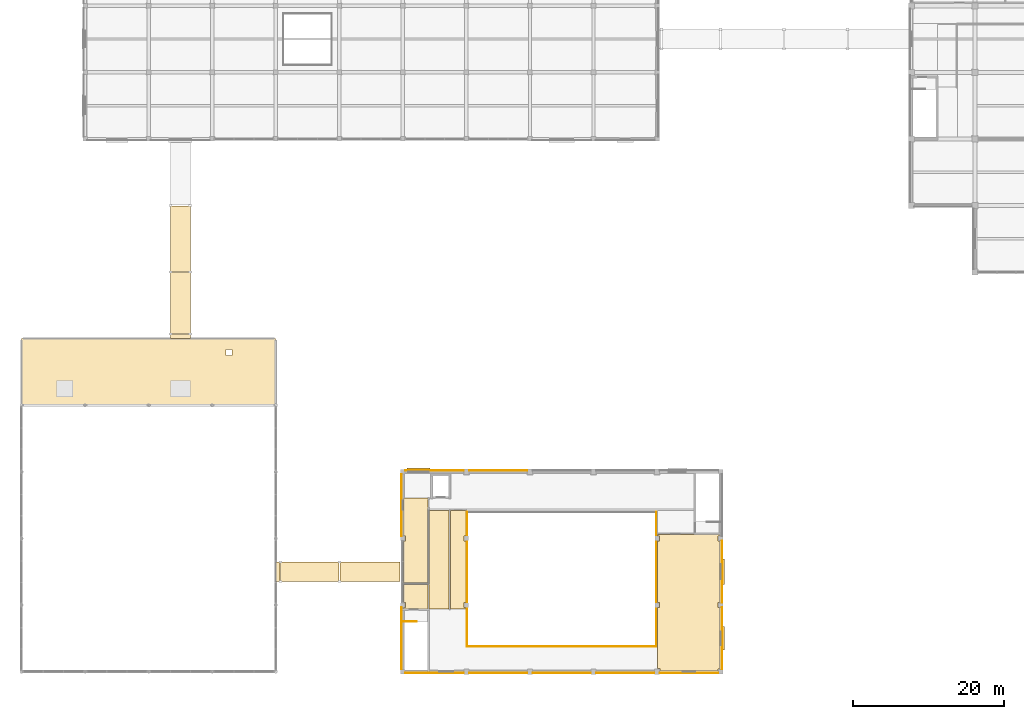
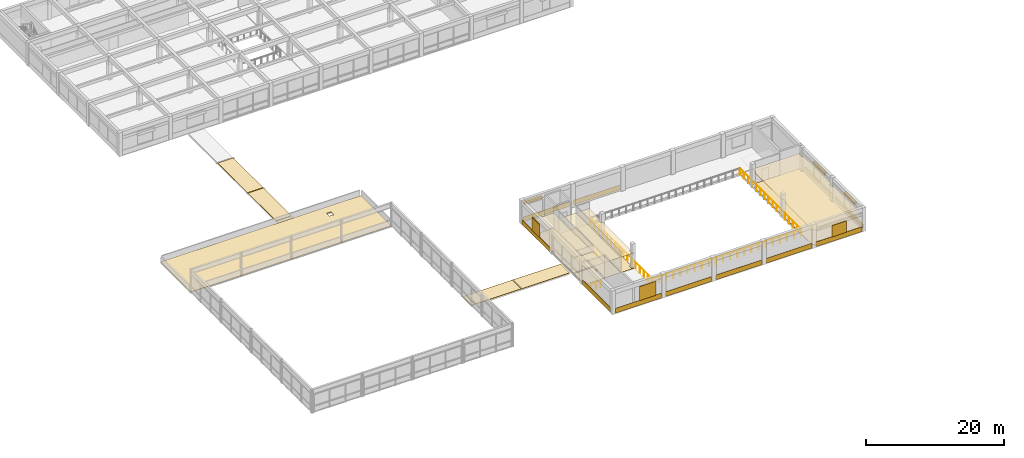
# One storey, part 38 of 46: 28 coverings, 6 shading devices, 4 railings.
"""IFC4 building model written with IfcOpenShell, lengths in metres."""

from ifc_helpers import new_model, si_unit, direction, frame, origin, origin_2d, place, context, subcontext, project, spatial, polyline, rectangle, circle, outline, extrude, material, layer, layer_set, type_object, element, save


model = new_model("IFC4")

# Units and contexts
model_context = context("Model", 3, precision=1e-05, world=origin(), true_north=direction((0.0, 1.0)))
body_context = subcontext(model_context, "Body", "Model", "MODEL_VIEW")
ifc_project = project(units=[si_unit("LENGTHUNIT", "METRE"), si_unit("AREAUNIT", "SQUARE_METRE"), si_unit("VOLUMEUNIT", "CUBIC_METRE"), si_unit("PLANEANGLEUNIT", "RADIAN"), si_unit("MASSUNIT", "GRAM", prefix="KILO")], contexts=[model_context])

# Site, building, storey
site_placement = place(None, origin())
site = spatial("IfcSite", under=ifc_project, at=site_placement, CompositionType="ELEMENT")
building_placement = place(site_placement, origin())
building = spatial("IfcBuilding", under=site, at=building_placement, Name="Kemercrest Conservatory and Botanical Centre", CompositionType="ELEMENT")
storey_placement = place(building_placement, frame((0.0, 0.0, 9.0)))
storey = spatial("IfcBuildingStorey", under=building, at=storey_placement, Name="L02", CompositionType="ELEMENT", Elevation=9.0)

# Coverings
ifc_material_1 = material(Name="Honed limestone almasik ashlar rainscreen", Category="masonry")
ifc_layer_1 = layer(ifc_material_1, 0.0400390625)
ifc_layer_set_1 = layer_set([ifc_layer_1], Name="Honed limestone almasik ashlar rainscreen")
covering_type_1 = type_object("IfcCoveringType", Name="CV-CLD040", PredefinedType="CLADDING", material=ifc_layer_set_1)
covering_1_placement = place(storey_placement, origin())
element("IfcCovering", 1, at=covering_1_placement, inside=storey, type_object=covering_type_1, Name="Exterior stone spandrel cladding (WAL:L02:EXT-053)", PredefinedType="CLADDING", context=body_context, shape_type="SweptSolid", body=[
    extrude(outline(polyline([(58.7099609375, 16.64990234375), (58.7099609375, 16.610107421875), (66.43994140625, 16.610107421875), (66.43994140625, 16.64990234375), (58.7099609375, 16.64990234375)])), origin(), (0.0, 0.0, 1.0), 0.85009765625),
])
covering_2_placement = place(storey_placement, origin())
element("IfcCovering", 2, at=covering_2_placement, inside=storey, type_object=covering_type_1, Name="Exterior stone spandrel cladding (WAL:L02:EXT-054)", PredefinedType="CLADDING", context=body_context, shape_type="SweptSolid", body=[
    extrude(outline(polyline([(67.159912109375, 16.64990234375), (67.159912109375, 16.610107421875), (74.840087890625, 16.610107421875), (74.840087890625, 16.64990234375), (67.159912109375, 16.64990234375)])), origin(), (0.0, 0.0, 1.0), 0.85009765625),
])
covering_3_placement = place(storey_placement, origin())
element("IfcCovering", 3, at=covering_3_placement, inside=storey, type_object=covering_type_1, Name="Exterior stone spandrel cladding (WAL:L02:EXT-055)", PredefinedType="CLADDING", context=body_context, shape_type="SweptSolid", body=[
    extrude(outline(polyline([(75.56005859375, 16.64990234375), (75.56005859375, 16.610107421875), (83.239990234375, 16.610107421875), (83.239990234375, 16.64990234375), (75.56005859375, 16.64990234375)])), origin(), (0.0, 0.0, 1.0), 0.85009765625),
])
covering_4_placement = place(storey_placement, origin())
element("IfcCovering", 4, at=covering_4_placement, inside=storey, type_object=covering_type_1, Name="Exterior stone spandrel cladding (WAL:L02:EXT-056)", PredefinedType="CLADDING", context=body_context, shape_type="SweptSolid", body=[
    extrude(outline(polyline([(83.9599609375, 16.64990234375), (83.9599609375, 16.610107421875), (91.639892578125, 16.610107421875), (91.639892578125, 16.64990234375), (83.9599609375, 16.64990234375)])), origin(), (0.0, 0.0, 1.0), 0.85009765625),
])
covering_5_placement = place(storey_placement, origin())
element("IfcCovering", 5, at=covering_5_placement, inside=storey, type_object=covering_type_1, Name="Exterior stone spandrel cladding (WAL:L02:EXT-057)", PredefinedType="CLADDING", context=body_context, shape_type="SweptSolid", body=[
    extrude(outline(polyline([(92.360107421875, 16.64990234375), (92.360107421875, 16.610107421875), (100.090087890625, 16.610107421875), (100.090087890625, 16.64990234375), (92.360107421875, 16.64990234375)])), origin(), (0.0, 0.0, 1.0), 0.85009765625),
])
covering_6_placement = place(storey_placement, origin())
element("IfcCovering", 6, at=covering_6_placement, inside=storey, type_object=covering_type_1, Name="Exterior stone spandrel cladding (WAL:L02:EXT-058)", PredefinedType="CLADDING", context=body_context, shape_type="SweptSolid", body=[
    extrude(outline(polyline([(100.550048828125, 17.110107421875), (100.590087890625, 17.110107421875), (100.590087890625, 25.2900390625), (100.550048828125, 25.2900390625), (100.550048828125, 17.110107421875)])), origin(), (0.0, 0.0, 1.0), 0.85009765625),
])
covering_7_placement = place(storey_placement, origin())
element("IfcCovering", 7, at=covering_7_placement, inside=storey, type_object=covering_type_1, Name="Exterior stone spandrel cladding (WAL:L02:EXT-059)", PredefinedType="CLADDING", context=body_context, shape_type="SweptSolid", body=[
    extrude(outline(polyline([(100.550048828125, 25.909912109375), (100.590087890625, 25.909912109375), (100.590087890625, 34.090087890625), (100.550048828125, 34.090087890625), (100.550048828125, 25.909912109375)])), origin(), (0.0, 0.0, 1.0), 0.85009765625),
])
covering_8_placement = place(storey_placement, origin())
element("IfcCovering", 8, at=covering_8_placement, inside=storey, type_object=covering_type_1, Name="Exterior stone spandrel cladding (WAL:L02:EXT-064)", PredefinedType="CLADDING", context=body_context, shape_type="SweptSolid", body=[
    extrude(outline(polyline([(74.840087890625, 43.35009765625), (74.840087890625, 43.389892578125), (67.159912109375, 43.389892578125), (67.159912109375, 43.35009765625), (74.840087890625, 43.35009765625)])), origin(), (0.0, 0.0, 1.0), 0.85009765625),
])
covering_9_placement = place(storey_placement, origin())
element("IfcCovering", 9, at=covering_9_placement, inside=storey, type_object=covering_type_1, Name="Exterior stone spandrel cladding (WAL:L02:EXT-065)", PredefinedType="CLADDING", context=body_context, shape_type="SweptSolid", body=[
    extrude(outline(polyline([(66.43994140625, 43.35009765625), (66.43994140625, 43.389892578125), (58.7099609375, 43.389892578125), (58.7099609375, 43.35009765625), (66.43994140625, 43.35009765625)])), origin(), (0.0, 0.0, 1.0), 0.85009765625),
])
covering_10_placement = place(storey_placement, origin())
element("IfcCovering", 10, at=covering_10_placement, inside=storey, type_object=covering_type_1, Name="Exterior stone spandrel cladding (WAL:L02:EXT-066)", PredefinedType="CLADDING", context=body_context, shape_type="SweptSolid", body=[
    extrude(outline(polyline([(58.25, 42.889892578125), (58.2099609375, 42.889892578125), (58.2099609375, 34.7099609375), (58.25, 34.7099609375), (58.25, 42.889892578125)])), origin(), (0.0, 0.0, 1.0), 0.85009765625),
])
covering_11_placement = place(storey_placement, origin())
element("IfcCovering", 11, at=covering_11_placement, inside=storey, type_object=covering_type_1, Name="Exterior stone spandrel cladding (WAL:L02:EXT-067)", PredefinedType="CLADDING", context=body_context, shape_type="SweptSolid", body=[
    extrude(outline(polyline([(58.25, 25.2900390625), (58.2099609375, 25.2900390625), (58.2099609375, 17.110107421875), (58.25, 17.110107421875), (58.25, 25.2900390625)])), origin(), (0.0, 0.0, 1.0), 0.85009765625),
])
ifc_material_2 = material(Name="Perforated acoustic gypsum and mineral-fibre suspended ceiling", Category="gypsum")
ifc_layer_2 = layer(ifc_material_2, 0.034912109375)
ifc_layer_set_2 = layer_set([ifc_layer_2], Name="Perforated acoustic gypsum and mineral-fibre suspended ceiling")
covering_type_2 = type_object("IfcCoveringType", Name="CV-CLG035", PredefinedType="CEILING", material=ifc_layer_set_2)
covering_12_placement = place(storey_placement, frame((0.0, 0.0, 2.699951171875)))
element("IfcCovering", 12, at=covering_12_placement, inside=storey, type_object=covering_type_2, Name="West Upper Stair Vestibule suspended acoustic ceiling", PredefinedType="CEILING", context=body_context, shape_type="SweptSolid", body=[
    extrude(outline(polyline([(58.47998046875, 25.080078125), (61.719970703125, 25.080078125), (61.719970703125, 28.320068359375), (58.47998046875, 28.320068359375), (58.47998046875, 25.93994140625), (58.739990234375, 25.93994140625), (58.739990234375, 25.260009765625), (58.47998046875, 25.260009765625), (58.47998046875, 25.080078125)])), origin(), (0.0, 0.0, 1.0), 0.03515625),
])
covering_13_placement = place(storey_placement, frame((0.0, 0.0, 2.699951171875)))
element("IfcCovering", 13, at=covering_13_placement, inside=storey, type_object=covering_type_2, Name="West Foyer Corridor suspended acoustic ceiling", PredefinedType="CEILING", context=body_context, shape_type="SweptSolid", body=[
    extrude(outline(polyline([(61.8798828125, 25.080078125), (64.52001953125, 25.080078125), (64.52001953125, 38.1201171875), (61.8798828125, 38.1201171875), (61.8798828125, 25.080078125)])), origin(), (0.0, 0.0, 1.0), 0.03515625),
])
covering_14_placement = place(storey_placement, frame((0.0, 0.0, 2.699951171875)))
element("IfcCovering", 14, at=covering_14_placement, inside=storey, type_object=covering_type_2, Name="Acoustic Control and Projection Suite suspended acoustic ceiling", PredefinedType="CEILING", context=body_context, shape_type="SweptSolid", body=[
    extrude(outline(polyline([(64.679931640625, 25.080078125), (66.719970703125, 25.080078125), (66.719970703125, 25.260009765625), (66.4599609375, 25.260009765625), (66.4599609375, 25.93994140625), (66.719970703125, 25.93994140625), (66.719970703125, 34.06005859375), (66.4599609375, 34.06005859375), (66.4599609375, 34.739990234375), (66.719970703125, 34.739990234375), (66.719970703125, 38.1201171875), (64.679931640625, 38.1201171875), (64.679931640625, 25.080078125)])), origin(), (0.0, 0.0, 1.0), 0.03515625),
])
covering_15_placement = place(storey_placement, frame((0.0, 0.0, 2.699951171875)))
element("IfcCovering", 15, at=covering_15_placement, inside=storey, type_object=covering_type_2, Name="Symposium Breakout Room suspended acoustic ceiling", PredefinedType="CEILING", context=body_context, shape_type="SweptSolid", body=[
    extrude(outline(polyline([(92.389892578125, 16.8798828125), (100.06005859375, 16.8798828125), (100.06005859375, 17.139892578125), (100.320068359375, 17.139892578125), (100.320068359375, 25.260009765625), (100.06005859375, 25.260009765625), (100.06005859375, 25.93994140625), (100.320068359375, 25.93994140625), (100.320068359375, 34.06005859375), (100.06005859375, 34.06005859375), (100.06005859375, 34.739990234375), (100.320068359375, 34.739990234375), (100.320068359375, 34.919921875), (92.080078125, 34.919921875), (92.080078125, 34.739990234375), (92.340087890625, 34.739990234375), (92.340087890625, 34.06005859375), (92.080078125, 34.06005859375), (92.080078125, 25.93994140625), (92.340087890625, 25.93994140625), (92.340087890625, 25.260009765625), (92.080078125, 25.260009765625), (92.080078125, 17.18994140625), (92.389892578125, 17.18994140625), (92.389892578125, 16.8798828125)])), origin(), (0.0, 0.0, 1.0), 0.03515625),
])
covering_16_placement = place(storey_placement, frame((0.0, 0.0, 2.699951171875)))
element("IfcCovering", 16, at=covering_16_placement, inside=storey, type_object=covering_type_2, Name="Upper Foyer Accessible Washroom suspended acoustic ceiling", PredefinedType="CEILING", context=body_context, shape_type="SweptSolid", body=[
    extrude(outline(polyline([(58.47998046875, 28.47998046875), (61.719970703125, 28.47998046875), (61.719970703125, 39.719970703125), (58.47998046875, 39.719970703125), (58.47998046875, 34.739990234375), (58.739990234375, 34.739990234375), (58.739990234375, 34.06005859375), (58.47998046875, 34.06005859375), (58.47998046875, 28.47998046875)])), origin(), (0.0, 0.0, 1.0), 0.03515625),
])
ifc_material_3 = material(Name="Polished limestone terrazzo and seamless laboratory epoxy flooring", Category="masonry")
ifc_layer_3 = layer(ifc_material_3, 0.02001953125)
ifc_layer_set_3 = layer_set([ifc_layer_3], Name="Polished limestone terrazzo and seamless laboratory epoxy flooring")
covering_type_3 = type_object("IfcCoveringType", Name="CV-FLR020", PredefinedType="FLOORING", material=ifc_layer_set_3)
covering_17_placement = place(storey_placement, origin())
element("IfcCovering", 17, at=covering_17_placement, inside=storey, type_object=covering_type_3, Name="West Upper Stair Vestibule floor finish", PredefinedType="FLOORING", context=body_context, shape_type="SweptSolid", body=[
    extrude(outline(polyline([(58.47998046875, 25.080078125), (61.719970703125, 25.080078125), (61.719970703125, 28.320068359375), (58.47998046875, 28.320068359375), (58.47998046875, 25.93994140625), (58.739990234375, 25.93994140625), (58.739990234375, 25.260009765625), (58.47998046875, 25.260009765625), (58.47998046875, 25.080078125)])), origin(), (0.0, 0.0, 1.0), 0.02001953125),
])
covering_18_placement = place(storey_placement, origin())
element("IfcCovering", 18, at=covering_18_placement, inside=storey, type_object=covering_type_3, Name="West Foyer Corridor floor finish", PredefinedType="FLOORING", context=body_context, shape_type="SweptSolid", body=[
    extrude(outline(polyline([(61.8798828125, 25.080078125), (64.52001953125, 25.080078125), (64.52001953125, 38.1201171875), (61.8798828125, 38.1201171875), (61.8798828125, 25.080078125)])), origin(), (0.0, 0.0, 1.0), 0.02001953125),
])
covering_19_placement = place(storey_placement, origin())
element("IfcCovering", 19, at=covering_19_placement, inside=storey, type_object=covering_type_3, Name="Acoustic Control and Projection Suite floor finish", PredefinedType="FLOORING", context=body_context, shape_type="SweptSolid", body=[
    extrude(outline(polyline([(64.679931640625, 25.080078125), (66.719970703125, 25.080078125), (66.719970703125, 25.260009765625), (66.4599609375, 25.260009765625), (66.4599609375, 25.93994140625), (66.719970703125, 25.93994140625), (66.719970703125, 34.06005859375), (66.4599609375, 34.06005859375), (66.4599609375, 34.739990234375), (66.719970703125, 34.739990234375), (66.719970703125, 38.1201171875), (64.679931640625, 38.1201171875), (64.679931640625, 25.080078125)])), origin(), (0.0, 0.0, 1.0), 0.02001953125),
])
covering_20_placement = place(storey_placement, origin())
element("IfcCovering", 20, at=covering_20_placement, inside=storey, type_object=covering_type_3, Name="Symposium Breakout Room floor finish", PredefinedType="FLOORING", context=body_context, shape_type="SweptSolid", body=[
    extrude(outline(polyline([(92.389892578125, 16.8798828125), (100.06005859375, 16.8798828125), (100.06005859375, 17.139892578125), (100.320068359375, 17.139892578125), (100.320068359375, 25.260009765625), (100.06005859375, 25.260009765625), (100.06005859375, 25.93994140625), (100.320068359375, 25.93994140625), (100.320068359375, 34.06005859375), (100.06005859375, 34.06005859375), (100.06005859375, 34.739990234375), (100.320068359375, 34.739990234375), (100.320068359375, 34.919921875), (92.080078125, 34.919921875), (92.080078125, 34.739990234375), (92.340087890625, 34.739990234375), (92.340087890625, 34.06005859375), (92.080078125, 34.06005859375), (92.080078125, 25.93994140625), (92.340087890625, 25.93994140625), (92.340087890625, 25.260009765625), (92.080078125, 25.260009765625), (92.080078125, 17.18994140625), (92.389892578125, 17.18994140625), (92.389892578125, 16.8798828125)])), origin(), (0.0, 0.0, 1.0), 0.02001953125),
])
covering_21_placement = place(storey_placement, origin())
element("IfcCovering", 21, at=covering_21_placement, inside=storey, type_object=covering_type_3, Name="Upper Foyer Accessible Washroom floor finish", PredefinedType="FLOORING", context=body_context, shape_type="SweptSolid", body=[
    extrude(outline(polyline([(58.47998046875, 28.47998046875), (61.719970703125, 28.47998046875), (61.719970703125, 39.719970703125), (58.47998046875, 39.719970703125), (58.47998046875, 34.739990234375), (58.739990234375, 34.739990234375), (58.739990234375, 34.06005859375), (58.47998046875, 34.06005859375), (58.47998046875, 28.47998046875)])), origin(), (0.0, 0.0, 1.0), 0.02001953125),
])
ifc_material_4 = material(Name="SBS modified bitumen insulated roofing membrane", Category="roofing")
ifc_layer_4 = layer(ifc_material_4, 0.06005859375)
ifc_layer_set_4 = layer_set([ifc_layer_4], Name="SBS modified bitumen insulated roofing membrane")
covering_type_4 = type_object("IfcCoveringType", Name="CV-RFG060", PredefinedType="ROOFING", material=ifc_layer_set_4)
covering_22_placement = place(storey_placement, origin())
element("IfcCovering", 22, at=covering_22_placement, inside=storey, type_object=covering_type_4, Name="Insulated roof membrane covering (V1 North Support Bar L02 Slab)", PredefinedType="ROOFING", context=body_context, shape_type="SweptSolid", body=[
    extrude(outline(polyline([(41.60009765625, 60.800048828125), (8.0, 60.800048828125), (8.0, 52.0), (41.60009765625, 52.0), (41.60009765625, 60.800048828125)]), holes=[polyline([(35.800048828125, 59.39990234375), (35.800048828125, 58.60009765625), (35.0, 58.60009765625), (35.0, 59.39990234375), (35.800048828125, 59.39990234375)])]), origin(), (0.0, 0.0, 1.0), 0.06005859375),
])
covering_23_placement = place(storey_placement, origin())
element("IfcCovering", 23, at=covering_23_placement, inside=storey, type_object=covering_type_4, Name="Insulated roof membrane covering (South Courtyard Covered Passage SJ-1 L02 span 1 slab)", PredefinedType="ROOFING", context=body_context, shape_type="SweptSolid", body=[
    extrude(outline(polyline([(41.60009765625, 28.699951171875), (42.139892578125, 28.699951171875), (42.139892578125, 31.300048828125), (41.60009765625, 31.300048828125), (41.60009765625, 28.699951171875)])), origin(), (0.0, 0.0, 1.0), 0.06005859375),
])
covering_24_placement = place(storey_placement, origin())
element("IfcCovering", 24, at=covering_24_placement, inside=storey, type_object=covering_type_4, Name="Insulated roof membrane covering (South Courtyard Covered Passage SJ-1 L02 span 2 slab)", PredefinedType="ROOFING", context=body_context, shape_type="SweptSolid", body=[
    extrude(outline(polyline([(42.260009765625, 28.699951171875), (49.93994140625, 28.699951171875), (49.93994140625, 31.300048828125), (42.260009765625, 31.300048828125), (42.260009765625, 28.699951171875)])), origin(), (0.0, 0.0, 1.0), 0.06005859375),
])
covering_25_placement = place(storey_placement, origin())
element("IfcCovering", 25, at=covering_25_placement, inside=storey, type_object=covering_type_4, Name="Insulated roof membrane covering (South Courtyard Covered Passage SJ-1 L02 span 3 slab)", PredefinedType="ROOFING", context=body_context, shape_type="SweptSolid", body=[
    extrude(outline(polyline([(50.06005859375, 28.699951171875), (58.050048828125, 28.699951171875), (58.050048828125, 31.300048828125), (50.06005859375, 31.300048828125), (50.06005859375, 28.699951171875)])), origin(), (0.0, 0.0, 1.0), 0.06005859375),
])
covering_26_placement = place(storey_placement, origin())
element("IfcCovering", 26, at=covering_26_placement, inside=storey, type_object=covering_type_4, Name="Insulated roof membrane covering (West Botanical Court Covered Passage SJ-2 L02 span 1 slab)", PredefinedType="ROOFING", context=body_context, shape_type="SweptSolid", body=[
    extrude(outline(polyline([(27.699951171875, 60.800048828125), (30.300048828125, 60.800048828125), (30.300048828125, 61.340087890625), (27.699951171875, 61.340087890625), (27.699951171875, 60.800048828125)])), origin(), (0.0, 0.0, 1.0), 0.06005859375),
])
covering_27_placement = place(storey_placement, origin())
element("IfcCovering", 27, at=covering_27_placement, inside=storey, type_object=covering_type_4, Name="Insulated roof membrane covering (West Botanical Court Covered Passage SJ-2 L02 span 2 slab)", PredefinedType="ROOFING", context=body_context, shape_type="SweptSolid", body=[
    extrude(outline(polyline([(27.699951171875, 61.4599609375), (30.300048828125, 61.4599609375), (30.300048828125, 69.5400390625), (27.699951171875, 69.5400390625), (27.699951171875, 61.4599609375)])), origin(), (0.0, 0.0, 1.0), 0.06005859375),
])
covering_28_placement = place(storey_placement, origin())
element("IfcCovering", 28, at=covering_28_placement, inside=storey, type_object=covering_type_4, Name="Insulated roof membrane covering (West Botanical Court Covered Passage SJ-2 L02 span 3 slab)", PredefinedType="ROOFING", context=body_context, shape_type="SweptSolid", body=[
    extrude(outline(polyline([(27.699951171875, 69.659912109375), (30.300048828125, 69.659912109375), (30.300048828125, 78.340087890625), (27.699951171875, 78.340087890625), (27.699951171875, 69.659912109375)])), origin(), (0.0, 0.0, 1.0), 0.06005859375),
])

# Railings
ifc_material_5 = material(Name="Painted galvanized steel tubular stair guardrail", Category="steel")
railing_type_1 = type_object("IfcRailingType", Name="GR-STR110", PredefinedType="GUARDRAIL", material=ifc_material_5)
railing_1_placement = place(storey_placement, frame((58.56005859375, 23.409912109375, 0.0)))
element("IfcRailing", 29, at=railing_1_placement, inside=storey, type_object=railing_type_1, Name="L02 ST-V2A top well guard 1", PredefinedType="GUARDRAIL", context=body_context, shape_type="SweptSolid", body=[
    extrude(circle(Radius=0.02392578125, at=origin_2d()), frame((0.0, 0.0, 1.076171875), z_axis=(1.0, 0.0, 0.0), x_axis=(0.0, 1.0, 0.0)), (0.0, 0.0, 1.0), 1.679931640625),
    extrude(circle(Radius=0.02099609375, at=origin_2d()), origin(), (0.0, 0.0, 1.0), 1.052001953125),
    extrude(circle(Radius=0.02099609375, at=origin_2d()), frame((0.83984375, 0.0, 0.0)), (0.0, 0.0, 1.0), 1.052001953125),
    extrude(circle(Radius=0.02099609375, at=origin_2d()), frame((1.679931640625, 0.0, 0.0)), (0.0, 0.0, 1.0), 1.052001953125),
])
ifc_material_6 = material(Name="Architectural bronze-anodized steel balustrade", Category="steel")
railing_type_2 = type_object("IfcRailingType", Name="GR-VOI115", PredefinedType="GUARDRAIL", material=ifc_material_6)
railing_2_placement = place(storey_placement, frame((66.89990234375, 20.10009765625, 0.0)))
element("IfcRailing", 30, at=railing_2_placement, inside=storey, type_object=railing_type_2, Name="Safety guardrail GR-VOI115 (V2-UPPER-1)", PredefinedType="GUARDRAIL", context=body_context, shape_type="SweptSolid", body=[
    extrude(circle(Radius=0.02392578125, at=origin_2d()), frame((0.0, 0.0, 1.1259765625), z_axis=(1.0, 0.0, 0.0), x_axis=(0.0, 1.0, 0.0)), (0.0, 0.0, 1.0), 25.0),
    extrude(circle(Radius=0.02099609375, at=origin_2d()), origin(), (0.0, 0.0, 1.0), 1.101806640625),
    extrude(circle(Radius=0.02099609375, at=origin_2d()), frame((1.1904296875, 0.0, 0.0)), (0.0, 0.0, 1.0), 1.101806640625),
    extrude(circle(Radius=0.02099609375, at=origin_2d()), frame((2.380859375, 0.0, 0.0)), (0.0, 0.0, 1.0), 1.101806640625),
    extrude(circle(Radius=0.02099609375, at=origin_2d()), frame((3.571533203125, 0.0, 0.0)), (0.0, 0.0, 1.0), 1.101806640625),
    extrude(circle(Radius=0.02099609375, at=origin_2d()), frame((4.761962890625, 0.0, 0.0)), (0.0, 0.0, 1.0), 1.101806640625),
    extrude(circle(Radius=0.02099609375, at=origin_2d()), frame((5.952392578125, 0.0, 0.0)), (0.0, 0.0, 1.0), 1.101806640625),
    extrude(circle(Radius=0.02099609375, at=origin_2d()), frame((7.142822265625, 0.0, 0.0)), (0.0, 0.0, 1.0), 1.101806640625),
    extrude(circle(Radius=0.02099609375, at=origin_2d()), frame((8.333251953125, 0.0, 0.0)), (0.0, 0.0, 1.0), 1.101806640625),
    extrude(circle(Radius=0.02099609375, at=origin_2d()), frame((9.52392578125, 0.0, 0.0)), (0.0, 0.0, 1.0), 1.101806640625),
    extrude(circle(Radius=0.02099609375, at=origin_2d()), frame((10.71435546875, 0.0, 0.0)), (0.0, 0.0, 1.0), 1.101806640625),
    extrude(circle(Radius=0.02099609375, at=origin_2d()), frame((11.90478515625, 0.0, 0.0)), (0.0, 0.0, 1.0), 1.101806640625),
    extrude(circle(Radius=0.02099609375, at=origin_2d()), frame((13.09521484375, 0.0, 0.0)), (0.0, 0.0, 1.0), 1.101806640625),
    extrude(circle(Radius=0.02099609375, at=origin_2d()), frame((14.28564453125, 0.0, 0.0)), (0.0, 0.0, 1.0), 1.101806640625),
    extrude(circle(Radius=0.02099609375, at=origin_2d()), frame((15.47607421875, 0.0, 0.0)), (0.0, 0.0, 1.0), 1.101806640625),
    extrude(circle(Radius=0.02099609375, at=origin_2d()), frame((16.666748046875, 0.0, 0.0)), (0.0, 0.0, 1.0), 1.101806640625),
    extrude(circle(Radius=0.02099609375, at=origin_2d()), frame((17.857177734375, 0.0, 0.0)), (0.0, 0.0, 1.0), 1.101806640625),
    extrude(circle(Radius=0.02099609375, at=origin_2d()), frame((19.047607421875, 0.0, 0.0)), (0.0, 0.0, 1.0), 1.101806640625),
    extrude(circle(Radius=0.02099609375, at=origin_2d()), frame((20.238037109375, 0.0, 0.0)), (0.0, 0.0, 1.0), 1.101806640625),
    extrude(circle(Radius=0.02099609375, at=origin_2d()), frame((21.428466796875, 0.0, 0.0)), (0.0, 0.0, 1.0), 1.101806640625),
    extrude(circle(Radius=0.02099609375, at=origin_2d()), frame((22.619140625, 0.0, 0.0)), (0.0, 0.0, 1.0), 1.101806640625),
    extrude(circle(Radius=0.02099609375, at=origin_2d()), frame((23.8095703125, 0.0, 0.0)), (0.0, 0.0, 1.0), 1.101806640625),
    extrude(circle(Radius=0.02099609375, at=origin_2d()), frame((25.0, 0.0, 0.0)), (0.0, 0.0, 1.0), 1.101806640625),
])
railing_3_placement = place(storey_placement, frame((91.89990234375, 20.10009765625, 0.0)))
element("IfcRailing", 31, at=railing_3_placement, inside=storey, type_object=railing_type_2, Name="Safety guardrail GR-VOI115 (V2-UPPER-2)", PredefinedType="GUARDRAIL", context=body_context, shape_type="SweptSolid", body=[
    extrude(circle(Radius=0.02392578125, at=origin_2d()), frame((0.0, 0.0, 1.1259765625), z_axis=(0.0, 1.0, 0.0), x_axis=(-1.0, 0.0, 0.0)), (0.0, 0.0, 1.0), 17.7998046875),
    extrude(circle(Radius=0.02099609375, at=origin_2d()), origin(), (0.0, 0.0, 1.0), 1.101806640625),
    extrude(circle(Radius=0.02099609375, at=origin_2d()), frame((0.0, 1.186767578125, 0.0)), (0.0, 0.0, 1.0), 1.101806640625),
    extrude(circle(Radius=0.02099609375, at=origin_2d()), frame((0.0, 2.373291015625, 0.0)), (0.0, 0.0, 1.0), 1.101806640625),
    extrude(circle(Radius=0.02099609375, at=origin_2d()), frame((0.0, 3.56005859375, 0.0)), (0.0, 0.0, 1.0), 1.101806640625),
    extrude(circle(Radius=0.02099609375, at=origin_2d()), frame((0.0, 4.74658203125, 0.0)), (0.0, 0.0, 1.0), 1.101806640625),
    extrude(circle(Radius=0.02099609375, at=origin_2d()), frame((0.0, 5.933349609375, 0.0)), (0.0, 0.0, 1.0), 1.101806640625),
    extrude(circle(Radius=0.02099609375, at=origin_2d()), frame((0.0, 7.119873046875, 0.0)), (0.0, 0.0, 1.0), 1.101806640625),
    extrude(circle(Radius=0.02099609375, at=origin_2d()), frame((0.0, 8.306640625, 0.0)), (0.0, 0.0, 1.0), 1.101806640625),
    extrude(circle(Radius=0.02099609375, at=origin_2d()), frame((0.0, 9.4931640625, 0.0)), (0.0, 0.0, 1.0), 1.101806640625),
    extrude(circle(Radius=0.02099609375, at=origin_2d()), frame((0.0, 10.679931640625, 0.0)), (0.0, 0.0, 1.0), 1.101806640625),
    extrude(circle(Radius=0.02099609375, at=origin_2d()), frame((0.0, 11.866455078125, 0.0)), (0.0, 0.0, 1.0), 1.101806640625),
    extrude(circle(Radius=0.02099609375, at=origin_2d()), frame((0.0, 13.05322265625, 0.0)), (0.0, 0.0, 1.0), 1.101806640625),
    extrude(circle(Radius=0.02099609375, at=origin_2d()), frame((0.0, 14.23974609375, 0.0)), (0.0, 0.0, 1.0), 1.101806640625),
    extrude(circle(Radius=0.02099609375, at=origin_2d()), frame((0.0, 15.426513671875, 0.0)), (0.0, 0.0, 1.0), 1.101806640625),
    extrude(circle(Radius=0.02099609375, at=origin_2d()), frame((0.0, 16.613037109375, 0.0)), (0.0, 0.0, 1.0), 1.101806640625),
    extrude(circle(Radius=0.02099609375, at=origin_2d()), frame((0.0, 17.7998046875, 0.0)), (0.0, 0.0, 1.0), 1.101806640625),
])
railing_4_placement = place(storey_placement, frame((66.89990234375, 37.89990234375, 0.0)))
element("IfcRailing", 32, at=railing_4_placement, inside=storey, type_object=railing_type_2, Name="Safety guardrail GR-VOI115 (V2-UPPER-4)", PredefinedType="GUARDRAIL", context=body_context, shape_type="SweptSolid", body=[
    extrude(circle(Radius=0.02392578125, at=origin_2d()), frame((0.0, 0.0, 1.1259765625), z_axis=(0.0, -1.0, 0.0), x_axis=(1.0, 0.0, 0.0)), (0.0, 0.0, 1.0), 17.7998046875),
    extrude(circle(Radius=0.02099609375, at=origin_2d()), origin(), (0.0, 0.0, 1.0), 1.101806640625),
    extrude(circle(Radius=0.02099609375, at=origin_2d()), frame((0.0, -1.186767578125, 0.0)), (0.0, 0.0, 1.0), 1.101806640625),
    extrude(circle(Radius=0.02099609375, at=origin_2d()), frame((0.0, -2.373291015625, 0.0)), (0.0, 0.0, 1.0), 1.101806640625),
    extrude(circle(Radius=0.02099609375, at=origin_2d()), frame((0.0, -3.56005859375, 0.0)), (0.0, 0.0, 1.0), 1.101806640625),
    extrude(circle(Radius=0.02099609375, at=origin_2d()), frame((0.0, -4.74658203125, 0.0)), (0.0, 0.0, 1.0), 1.101806640625),
    extrude(circle(Radius=0.02099609375, at=origin_2d()), frame((0.0, -5.933349609375, 0.0)), (0.0, 0.0, 1.0), 1.101806640625),
    extrude(circle(Radius=0.02099609375, at=origin_2d()), frame((0.0, -7.119873046875, 0.0)), (0.0, 0.0, 1.0), 1.101806640625),
    extrude(circle(Radius=0.02099609375, at=origin_2d()), frame((0.0, -8.306640625, 0.0)), (0.0, 0.0, 1.0), 1.101806640625),
    extrude(circle(Radius=0.02099609375, at=origin_2d()), frame((0.0, -9.4931640625, 0.0)), (0.0, 0.0, 1.0), 1.101806640625),
    extrude(circle(Radius=0.02099609375, at=origin_2d()), frame((0.0, -10.679931640625, 0.0)), (0.0, 0.0, 1.0), 1.101806640625),
    extrude(circle(Radius=0.02099609375, at=origin_2d()), frame((0.0, -11.866455078125, 0.0)), (0.0, 0.0, 1.0), 1.101806640625),
    extrude(circle(Radius=0.02099609375, at=origin_2d()), frame((0.0, -13.05322265625, 0.0)), (0.0, 0.0, 1.0), 1.101806640625),
    extrude(circle(Radius=0.02099609375, at=origin_2d()), frame((0.0, -14.23974609375, 0.0)), (0.0, 0.0, 1.0), 1.101806640625),
    extrude(circle(Radius=0.02099609375, at=origin_2d()), frame((0.0, -15.426513671875, 0.0)), (0.0, 0.0, 1.0), 1.101806640625),
    extrude(circle(Radius=0.02099609375, at=origin_2d()), frame((0.0, -16.613037109375, 0.0)), (0.0, 0.0, 1.0), 1.101806640625),
    extrude(circle(Radius=0.02099609375, at=origin_2d()), frame((0.0, -17.7998046875, 0.0)), (0.0, 0.0, 1.0), 1.101806640625),
])

# Shading devices
ifc_material_7 = material(Name="Architectural bronze-anodized extruded aluminium", Category="aluminium")
shading_device_type_1 = type_object("IfcShadingDeviceType", Name="SH-JL01", PredefinedType="JALOUSIE", material=ifc_material_7)
shading_device_1_placement = place(storey_placement, frame((60.455078125, 43.52294921875, 2.955078125), z_axis=(0.0, 0.0, 1.0), x_axis=(-1.0, 0.0, 0.0)))
element("IfcShadingDevice", 33, at=shading_device_1_placement, inside=storey, type_object=shading_device_type_1, Name="Solar control louvre visor SH-JL01 (WIN:L02:EXT-065)", PredefinedType="JALOUSIE", context=body_context, shape_type="SweptSolid", body=[
    extrude(rectangle(XDim=3.02001953125, YDim=0.35009765625, at=origin_2d()), origin(), (0.0, 0.0, 1.0), 0.449951171875),
])
shading_device_type_2 = type_object("IfcShadingDeviceType", Name="SH-JL04", PredefinedType="JALOUSIE", material=ifc_material_7)
shading_device_2_placement = place(storey_placement, frame((100.722900390625, 21.199951171875, 2.6298828125), z_axis=(0.0, 0.0, 1.0), x_axis=(0.0, 1.0, 0.0)))
element("IfcShadingDevice", 34, at=shading_device_2_placement, inside=storey, type_object=shading_device_type_2, Name="Solar control louvre visor SH-JL04 (WIN:L02:EXT-058)", PredefinedType="JALOUSIE", context=body_context, shape_type="SweptSolid", body=[
    extrude(rectangle(XDim=3.10009765625, YDim=0.35009765625, at=origin_2d()), origin(), (0.0, 0.0, 1.0), 0.5),
])
shading_device_type_3 = type_object("IfcShadingDeviceType", Name="SH-JL05", PredefinedType="JALOUSIE", material=ifc_material_7)
shading_device_3_placement = place(storey_placement, frame((100.722900390625, 30.0, 2.6298828125), z_axis=(0.0, 0.0, 1.0), x_axis=(0.0, 1.0, 0.0)))
element("IfcShadingDevice", 35, at=shading_device_3_placement, inside=storey, type_object=shading_device_type_3, Name="Solar control louvre visor SH-JL05 (WIN:L02:EXT-059)", PredefinedType="JALOUSIE", context=body_context, shape_type="SweptSolid", body=[
    extrude(rectangle(XDim=3.39990234375, YDim=0.35009765625, at=origin_2d()), origin(), (0.0, 0.0, 1.0), 0.5),
])
ifc_material_8 = material(Name="Perforated bronze-anodized aluminium", Category="aluminium")
shading_device_type_4 = type_object("IfcShadingDeviceType", Name="SH-MS02", PredefinedType="USERDEFINED", material=ifc_material_8)
shading_device_4_placement = place(storey_placement, frame((58.2119140625, 38.800048828125, 0.8251953125), z_axis=(0.0, 0.0, 1.0), x_axis=(0.0, -1.0, 0.0)))
element("IfcShadingDevice", 36, at=shading_device_4_placement, inside=storey, type_object=shading_device_type_4, Name="Ottoman mashrabiya perforated screen SH-MS02 (WIN:L02:EXT-066)", ObjectType="MASHRABIYA SCREEN", PredefinedType="USERDEFINED", context=body_context, shape_type="SweptSolid", body=[
    extrude(rectangle(XDim=2.10009765625, YDim=0.080078125, at=origin_2d()), origin(), (0.0, 0.0, 1.0), 2.300048828125),
])
shading_device_type_5 = type_object("IfcShadingDeviceType", Name="SH-MS03", PredefinedType="USERDEFINED", material=ifc_material_8)
shading_device_5_placement = place(storey_placement, frame((96.22509765625, 16.612060546875, 0.81982421875), z_axis=(0.0, 0.0, 1.0), x_axis=(1.0, 0.0, 0.0)))
element("IfcShadingDevice", 37, at=shading_device_5_placement, inside=storey, type_object=shading_device_type_5, Name="Ottoman mashrabiya perforated screen SH-MS03 (WIN:L02:EXT-057)", ObjectType="MASHRABIYA SCREEN", PredefinedType="USERDEFINED", context=body_context, shape_type="SweptSolid", body=[
    extrude(rectangle(XDim=2.39990234375, YDim=0.080078125, at=origin_2d()), origin(), (0.0, 0.0, 1.0), 2.010009765625),
])
shading_device_type_6 = type_object("IfcShadingDeviceType", Name="SH-MS04", PredefinedType="USERDEFINED", material=ifc_material_8)
shading_device_6_placement = place(storey_placement, frame((64.1201171875, 16.612060546875, 0.820068359375), z_axis=(0.0, 0.0, 1.0), x_axis=(1.0, 0.0, 0.0)))
element("IfcShadingDevice", 38, at=shading_device_6_placement, inside=storey, type_object=shading_device_type_6, Name="Ottoman mashrabiya perforated screen SH-MS04 (WIN:L02:EXT-053)", ObjectType="MASHRABIYA SCREEN", PredefinedType="USERDEFINED", context=body_context, shape_type="SweptSolid", body=[
    extrude(rectangle(XDim=2.699951171875, YDim=0.080078125, at=origin_2d()), origin(), (0.0, 0.0, 1.0), 2.5),
])

save(model, "model.ifc")
